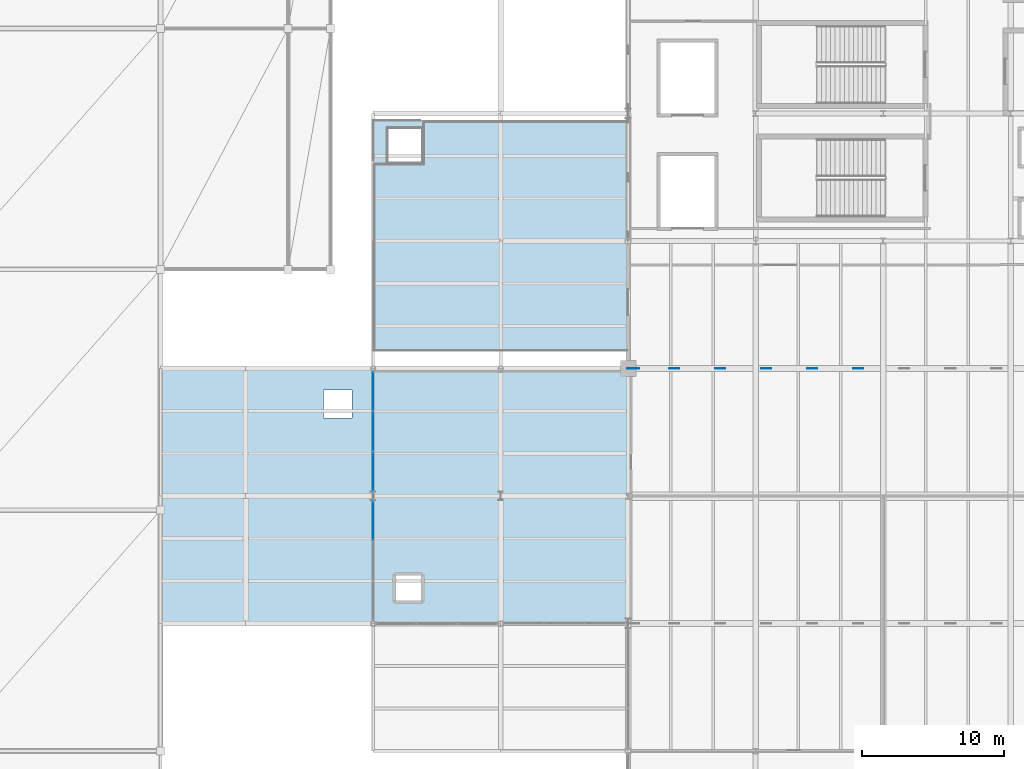
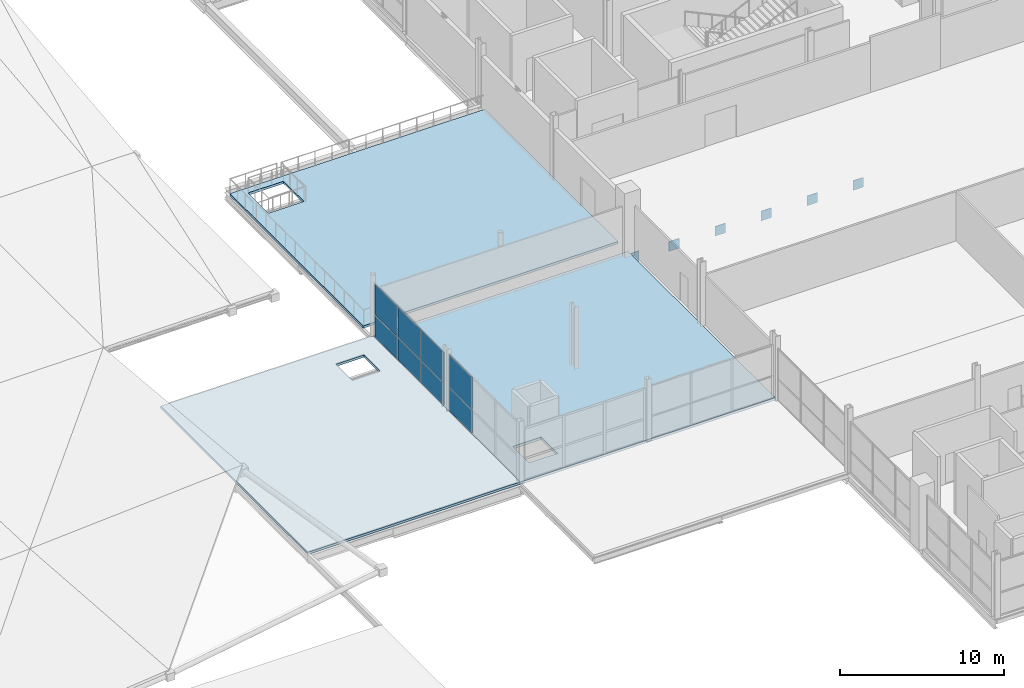
# One storey, part 42 of 69: 14 plates, 3 slabs, 2 elements without a shape of their own.
"""IFC4 building model written with IfcOpenShell, lengths in metres."""

from ifc_helpers import new_model, si_unit, direction, frame, origin, origin_2d, place, context, subcontext, project, spatial, polyline, rectangle, outline, extrude, material, layer, layer_set, type_object, element, aggregate, save


model = new_model("IFC4")

# Units and contexts
model_context = context("Model", 3, precision=1e-05, world=origin(), true_north=direction((0.0, 1.0)))
body_context = subcontext(model_context, "Body", "Model", "MODEL_VIEW")
ifc_project = project(units=[si_unit("LENGTHUNIT", "METRE"), si_unit("AREAUNIT", "SQUARE_METRE"), si_unit("VOLUMEUNIT", "CUBIC_METRE"), si_unit("PLANEANGLEUNIT", "RADIAN"), si_unit("MASSUNIT", "GRAM", prefix="KILO")], contexts=[model_context])

# Site, building, storey
site_placement = place(None, origin())
site = spatial("IfcSite", under=ifc_project, at=site_placement, CompositionType="ELEMENT")
building_placement = place(site_placement, origin())
building = spatial("IfcBuilding", under=site, at=building_placement, Name="Qamarlyn Nura Convention Centre", CompositionType="ELEMENT")
storey_placement = place(building_placement, frame((0.0, 0.0, 15.60009765625)))
storey = spatial("IfcBuildingStorey", under=building, at=storey_placement, Name="L03", CompositionType="ELEMENT", Elevation=15.60009765625)

# Curtain wall, plates
ifc_material_1 = material(Name="Double-silver low-E insulated glass", Category="glass")
ifc_layer_1 = layer(ifc_material_1, 0.179931640625, Name="CW-UNIT-124")
ifc_layer_set_1 = layer_set([ifc_layer_1], Name="Double-silver low-E insulated glass")
curtain_wall_type_1 = type_object("IfcCurtainWallType", Name="CW-UNIT-124", PredefinedType="NOTDEFINED", material=ifc_layer_set_1)
curtain_wall_1_placement = place(storey_placement, origin())
curtain_wall_1 = element("IfcCurtainWall", 1, at=curtain_wall_1_placement, inside=storey, type_object=curtain_wall_type_1, Name="L03 unitised curtain wall WS-27-1", PredefinedType="NOTDEFINED")
ifc_layer_2 = layer(ifc_material_1, 0.028076171875, Name="CWP-VIS-28")
ifc_layer_set_2 = layer_set([ifc_layer_2], Name="Double-silver low-E insulated glass")
plate_type_1 = type_object("IfcPlateType", Name="CWP-VIS-28", PredefinedType="CURTAIN_PANEL", material=ifc_layer_set_2)
plate_1_placement = place(storey_placement, frame((135.0, 34.257080078125, 0.06982421875), z_axis=(0.0, 0.0, 1.0), x_axis=(0.0, 1.0, 0.0)))
plate_1 = element("IfcPlate", 2, at=plate_1_placement, type_object=plate_type_1, Name="CW124 panel 3.1", PredefinedType="CURTAIN_PANEL", context=body_context, shape_type="SweptSolid", body=[
    extrude(rectangle(XDim=2.73486328125, YDim=0.028076171875, at=origin_2d()), origin(), (0.0, 0.0, 1.0), 1.7109375),
])
plate_2_placement = place(storey_placement, frame((135.0, 34.257080078125, 1.85107421875), z_axis=(0.0, 0.0, 1.0), x_axis=(0.0, 1.0, 0.0)))
plate_2 = element("IfcPlate", 3, at=plate_2_placement, type_object=plate_type_1, Name="CW124 panel 3.2", PredefinedType="CURTAIN_PANEL", context=body_context, shape_type="SweptSolid", body=[
    extrude(rectangle(XDim=2.73486328125, YDim=0.028076171875, at=origin_2d()), origin(), (0.0, 0.0, 1.0), 2.404052734375),
])
aggregate(curtain_wall_1, [plate_1, plate_2])

ifc_layer_3 = layer(ifc_material_1, 0.179931640625, Name="CW-UNIT-125")
ifc_layer_set_3 = layer_set([ifc_layer_3], Name="Double-silver low-E insulated glass")
curtain_wall_type_2 = type_object("IfcCurtainWallType", Name="CW-UNIT-125", PredefinedType="NOTDEFINED", material=ifc_layer_set_3)
curtain_wall_2_placement = place(storey_placement, origin())
curtain_wall_2 = element("IfcCurtainWall", 4, at=curtain_wall_2_placement, inside=storey, type_object=curtain_wall_type_2, Name="L03 unitised curtain wall WS-36-1", PredefinedType="NOTDEFINED")
plate_3_placement = place(storey_placement, frame((135.0, 37.7412109375, 0.06494140625), z_axis=(0.0, 0.0, 1.0), x_axis=(0.0, 1.0, 0.0)))
plate_3 = element("IfcPlate", 5, at=plate_3_placement, type_object=plate_type_1, Name="CW125 panel 1.1", PredefinedType="CURTAIN_PANEL", context=body_context, shape_type="SweptSolid", body=[
    extrude(rectangle(XDim=2.741455078125, YDim=0.028076171875, at=origin_2d()), origin(), (0.0, 0.0, 1.0), 1.618408203125),
])
plate_4_placement = place(storey_placement, frame((135.0, 37.7412109375, 1.74853515625), z_axis=(0.0, 0.0, 1.0), x_axis=(0.0, 1.0, 0.0)))
plate_4 = element("IfcPlate", 6, at=plate_4_placement, type_object=plate_type_1, Name="CW125 panel 1.2", PredefinedType="CURTAIN_PANEL", context=body_context, shape_type="SweptSolid", body=[
    extrude(rectangle(XDim=2.741455078125, YDim=0.028076171875, at=origin_2d()), origin(), (0.0, 0.0, 1.0), 2.2724609375),
])
plate_5_placement = place(storey_placement, frame((135.0, 40.56396484375, 0.06494140625), z_axis=(0.0, 0.0, 1.0), x_axis=(0.0, 1.0, 0.0)))
plate_5 = element("IfcPlate", 7, at=plate_5_placement, type_object=plate_type_1, Name="CW125 panel 2.1", PredefinedType="CURTAIN_PANEL", context=body_context, shape_type="SweptSolid", body=[
    extrude(rectangle(XDim=2.77392578125, YDim=0.028076171875, at=origin_2d()), origin(), (0.0, 0.0, 1.0), 1.618408203125),
])
plate_6_placement = place(storey_placement, frame((135.0, 40.56396484375, 1.74853515625), z_axis=(0.0, 0.0, 1.0), x_axis=(0.0, 1.0, 0.0)))
plate_6 = element("IfcPlate", 8, at=plate_6_placement, type_object=plate_type_1, Name="CW125 panel 2.2", PredefinedType="CURTAIN_PANEL", context=body_context, shape_type="SweptSolid", body=[
    extrude(rectangle(XDim=2.77392578125, YDim=0.028076171875, at=origin_2d()), origin(), (0.0, 0.0, 1.0), 2.2724609375),
])
plate_7_placement = place(storey_placement, frame((135.0, 43.386474609375, 0.06494140625), z_axis=(0.0, 0.0, 1.0), x_axis=(0.0, 1.0, 0.0)))
plate_7 = element("IfcPlate", 9, at=plate_7_placement, type_object=plate_type_1, Name="CW125 panel 3.1", PredefinedType="CURTAIN_PANEL", context=body_context, shape_type="SweptSolid", body=[
    extrude(rectangle(XDim=2.741455078125, YDim=0.028076171875, at=origin_2d()), origin(), (0.0, 0.0, 1.0), 1.618408203125),
])
plate_8_placement = place(storey_placement, frame((135.0, 43.386474609375, 1.74853515625), z_axis=(0.0, 0.0, 1.0), x_axis=(0.0, 1.0, 0.0)))
plate_8 = element("IfcPlate", 10, at=plate_8_placement, type_object=plate_type_1, Name="CW125 panel 3.2", PredefinedType="CURTAIN_PANEL", context=body_context, shape_type="SweptSolid", body=[
    extrude(rectangle(XDim=2.741455078125, YDim=0.028076171875, at=origin_2d()), origin(), (0.0, 0.0, 1.0), 2.2724609375),
])
aggregate(curtain_wall_2, [plate_3, plate_4, plate_5, plate_6, plate_7, plate_8])

# Plates
ifc_material_2 = material(Name="Structural steel ASTM A572 Grade 50", Category="steel")
ifc_layer_4 = layer(ifc_material_2, 0.044921875, Name="GP-TN1")
ifc_layer_set_4 = layer_set([ifc_layer_4], Name="Structural steel ASTM A572 Grade 50")
plate_type_2 = type_object("IfcPlateType", Name="GP-TN1", PredefinedType="USERDEFINED", material=ifc_layer_set_4)
for number, where, z_axis, x_axis, name in (
    (11, (156.25, 45.0, -1.01611328125), (0.0, 0.0, 1.0), (1.0, 0.0, 0.0), "Transfer truss apex gusset plate F-P1T"),
    (12, (162.75, 45.0, -1.01611328125), (0.0, 0.0, 1.0), (1.0, 0.0, 0.0), "Transfer truss apex gusset plate F-P2T"),
    (13, (169.25, 45.0, -1.01611328125), (0.0, 0.0, 1.0), (1.0, 0.0, 0.0), "Transfer truss apex gusset plate F-P3T"),
    (14, (159.5, 45.0, -1.01611328125), (0.0, 0.0, 1.0), (1.0, 0.0, 0.0), "Transfer truss hanger top gusset plate F-V1T"),
    (15, (166.0, 45.0, -1.01611328125), (0.0, 0.0, 1.0), (1.0, 0.0, 0.0), "Transfer truss hanger top gusset plate F-V2T"),
):
    element("IfcPlate", number, at=place(storey_placement, frame(where, z_axis=z_axis, x_axis=x_axis)), inside=storey, type_object=plate_type_2, Name=name, ObjectType="GUSSET PLATE", PredefinedType="USERDEFINED", context=body_context, shape_type="SweptSolid", body=[
        extrude(rectangle(XDim=0.719970703125, YDim=0.044921875, at=origin_2d()), origin(), (0.0, 0.0, 1.0), 0.719970703125),
    ])
plate_9_placement = place(storey_placement, frame((153.35009765625, 45.0, -1.0810546875), z_axis=(0.0, 0.0, 1.0), x_axis=(1.0, 0.0, 0.0)))
element("IfcPlate", 16, at=plate_9_placement, inside=storey, type_object=plate_type_2, Name="Transfer structure node gusset plate F-WT", ObjectType="GUSSET PLATE", PredefinedType="USERDEFINED", context=body_context, shape_type="SweptSolid", body=[
    extrude(rectangle(XDim=0.85009765625, YDim=0.044921875, at=origin_2d()), origin(), (0.0, 0.0, 1.0), 0.85009765625),
])

# Slabs
ifc_material_3 = material(Name="Concrete C40/50", Category="concrete")
ifc_layer_5 = layer(ifc_material_3, 0.175048828125, Name="RF-L03")
ifc_layer_set_5 = layer_set([ifc_layer_5], Name="Concrete C40/50")
slab_type_1 = type_object("IfcSlabType", Name="RF-L03", PredefinedType="ROOF", material=ifc_layer_set_5)
slab_1_placement = place(storey_placement, frame((0.0, 0.0, -0.175048828125)))
element("IfcSlab", 17, at=slab_1_placement, inside=storey, type_object=slab_type_1, Name="L03 flat roof deck R-L03-BRG", PredefinedType="ROOF", context=body_context, shape_type="SweptSolid", body=[
    extrude(outline(polyline([(120.0, 27.0), (120.0, 45.0), (135.0, 45.0), (135.0, 27.0), (120.0, 27.0)]), holes=[polyline([(133.5, 43.5), (131.5, 43.5), (131.5, 41.5), (133.5, 41.5), (133.5, 43.5)])]), origin(), (0.0, 0.0, 1.0), 0.175048828125),
])
ifc_layer_6 = layer(ifc_material_3, 0.199951171875, Name="SL-L03")
ifc_layer_set_6 = layer_set([ifc_layer_6], Name="Concrete C40/50")
slab_type_2 = type_object("IfcSlabType", Name="SL-L03", PredefinedType="FLOOR", material=ifc_layer_set_6)
slab_2_placement = place(storey_placement, frame((0.0, 0.0, -0.2001953125)))
element("IfcSlab", 18, at=slab_2_placement, inside=storey, type_object=slab_type_2, Name="L03 floor slab L03-WS1", PredefinedType="FLOOR", context=body_context, shape_type="SweptSolid", body=[
    extrude(outline(polyline([(135.0, 45.0), (153.0, 45.0), (153.0, 27.0), (135.0, 27.0), (135.0, 45.0)]), holes=[polyline([(136.5, 30.5), (136.5, 28.5), (138.5, 28.5), (138.5, 30.5), (136.5, 30.5)])]), origin(), (0.0, 0.0, 1.0), 0.2001953125),
])
ifc_layer_7 = layer(ifc_material_3, 0.179931640625, Name="SL-TERR")
ifc_layer_set_7 = layer_set([ifc_layer_7], Name="Concrete C40/50")
slab_type_3 = type_object("IfcSlabType", Name="SL-TERR", PredefinedType="FLOOR", material=ifc_layer_set_7)
slab_3_placement = place(storey_placement, frame((0.0, 0.0, -0.18017578125)))
element("IfcSlab", 19, at=slab_3_placement, inside=storey, type_object=slab_type_3, Name="L03 floor slab L03-TR1", PredefinedType="FLOOR", context=body_context, shape_type="SweptSolid", body=[
    extrude(outline(polyline([(135.0, 62.5), (153.0, 62.5), (153.0, 46.199951171875), (135.0, 46.199951171875), (135.0, 62.5)]), holes=[polyline([(136.0, 62.0), (136.0, 59.5), (138.5, 59.5), (138.5, 62.0), (136.0, 62.0)])]), origin(), (0.0, 0.0, 1.0), 0.18017578125),
])

save(model, "model.ifc")
